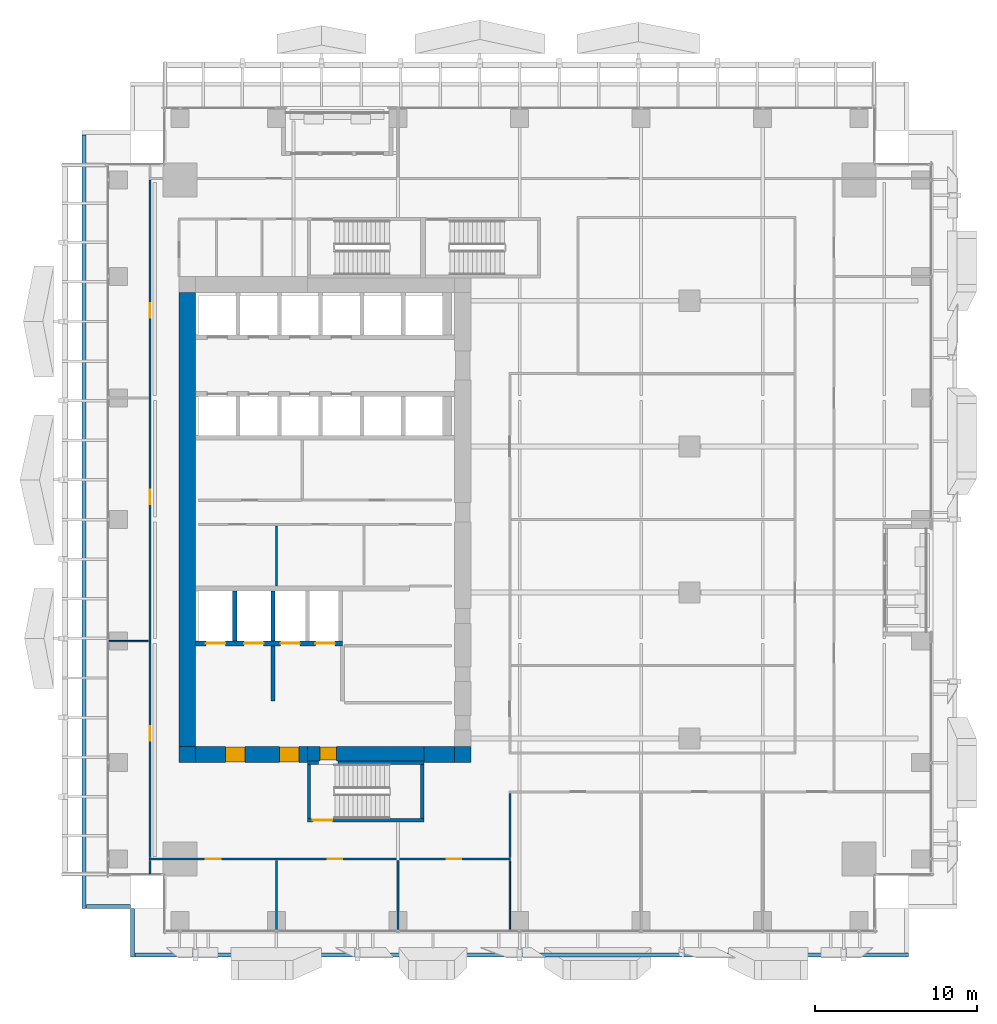
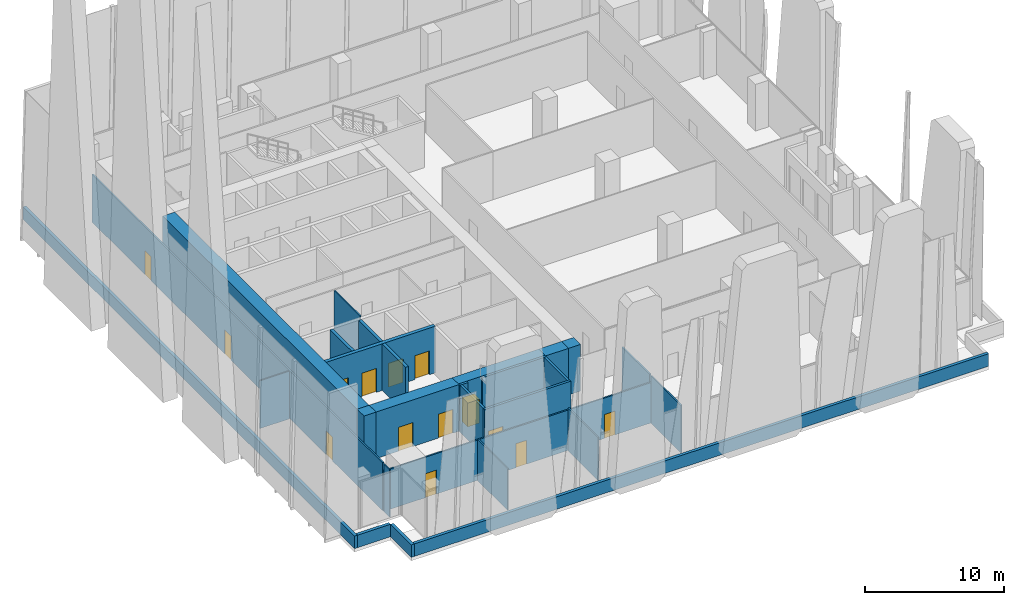
# One storey, part 28 of 37: 28 walls, 14 doors, 14 openings.
"""IFC4 building model written with IfcOpenShell, lengths in metres."""

from ifc_helpers import new_model, si_unit, direction, frame, frame_2d, origin, place, context, subcontext, project, spatial, rectangle, extrude, source, transform, mapped, material, layer, layer_set, type_object, element, fill, save


model = new_model("IFC4")

# Units and contexts
model_context = context("Model", 3, precision=1e-05, world=origin(), true_north=direction((0.0, 1.0)))
body_context = subcontext(model_context, "Body", "Model", "MODEL_VIEW")
ifc_project = project(units=[si_unit("LENGTHUNIT", "METRE"), si_unit("AREAUNIT", "SQUARE_METRE"), si_unit("VOLUMEUNIT", "CUBIC_METRE"), si_unit("PLANEANGLEUNIT", "RADIAN"), si_unit("MASSUNIT", "GRAM", prefix="KILO")], contexts=[model_context])

# Site, building, storey
site_placement = place(None, origin())
site = spatial("IfcSite", under=ifc_project, at=site_placement, CompositionType="ELEMENT")
building_placement = place(site_placement, origin())
building = spatial("IfcBuilding", under=site, at=building_placement, Name="Khomas Fold Tower", CompositionType="ELEMENT")
storey_placement = place(building_placement, frame((0.0, 0.0, 101.5)))
storey = spatial("IfcBuildingStorey", under=building, at=storey_placement, Name="L21", CompositionType="ELEMENT", Elevation=101.5)

# Wall, openings, doors
ifc_material_1 = material(Name="Concrete C70/85", Category="concrete")
ifc_layer_1 = layer(ifc_material_1, 1.0)
ifc_layer_set_1 = layer_set([ifc_layer_1], Name="Concrete C70/85")
wall_type_1 = type_object("IfcWallType", Name="Core wall 1000", PredefinedType="SHEAR", material=ifc_layer_set_1)
shared_shape_1 = source(origin(), body_context, "Body", "SweptSolid", [
    extrude(rectangle(XDim=6.89990234375, YDim=1.0, at=frame_2d((3.449951171875, 0.0))), origin(), (0.0, 0.0, 1.0), 4.10009765625),
])
wall_1_placement = place(storey_placement, frame((7.0, 12.5, 0.0), z_axis=(0.0, 0.0, 1.0), x_axis=(1.0, 0.0, 0.0)))
wall_1 = element("IfcWall", 1, at=wall_1_placement, inside=storey, type_object=wall_type_1, Name="Core wall CW-L-S-L21", PredefinedType="SHEAR", context=body_context, shape_type="MappedRepresentation", body=[
    mapped(shared_shape_1, transform((0.0, 0.0, 0.0))),
])
shared_shape_2 = source(origin(), body_context, "Body", "SweptSolid", [
    extrude(rectangle(XDim=1.199951171875, YDim=2.10009765625, at=frame_2d((0.60009765625, 1.050048828125))), frame((0.0, 0.510009765625, 0.0), z_axis=(0.0, -1.0, 0.0), x_axis=(1.0, 0.0, 0.0)), (0.0, 0.0, 1.0), 1.02001953125),
])
opening_1_placement = place(wall_1_placement, frame((5.199951171875, 0.0, 0.0)))
opening_1 = element("IfcOpeningElement", 2, at=opening_1_placement, cuts=wall_1, Name="Opening 0009", PredefinedType="OPENING", context=body_context, shape_type="MappedRepresentation", body=[
    mapped(shared_shape_2, transform((0.0, 0.0, 0.0))),
])
opening_2_placement = place(wall_1_placement, frame((1.85009765625, 0.0, 0.0)))
opening_2 = element("IfcOpeningElement", 3, at=opening_2_placement, cuts=wall_1, Name="Opening 0009", PredefinedType="OPENING", context=body_context, shape_type="MappedRepresentation", body=[
    mapped(shared_shape_2, transform((0.0, 0.0, 0.0))),
])
ifc_material_2 = material(Name="Steel door leaf", Category="steel")
door_type_1 = type_object("IfcDoorType", Name="Lobby door 1200x2100 right-hand", OperationType="SINGLE_SWING_RIGHT", PredefinedType="DOOR", material=ifc_material_2)
shared_shape_3 = source(origin(), body_context, "Body", "SweptSolid", [
    extrude(rectangle(XDim=1.199951171875, YDim=2.10009765625, at=frame_2d((0.60009765625, 1.050048828125))), frame((0.0, 0.449951171875, 0.0), z_axis=(0.0, -1.0, 0.0), x_axis=(1.0, 0.0, 0.0)), (0.0, 0.0, 1.0), 0.89990234375),
])
door_1_placement = place(opening_1_placement, origin())
door_1 = element("IfcDoor", 4, at=door_1_placement, inside=storey, type_object=door_type_1, Name="Lobby door", OperationType="SINGLE_SWING_RIGHT", OverallHeight=2.10009765625, OverallWidth=1.199951171875, PredefinedType="DOOR", context=body_context, shape_type="MappedRepresentation", body=[
    mapped(shared_shape_3, transform((0.0, 0.0, 0.0))),
])
fill(opening_1, door_1)
door_2_placement = place(opening_2_placement, origin())
door_2 = element("IfcDoor", 5, at=door_2_placement, inside=storey, type_object=door_type_1, Name="Lobby door", OperationType="SINGLE_SWING_RIGHT", OverallHeight=2.10009765625, OverallWidth=1.199951171875, PredefinedType="DOOR", context=body_context, shape_type="MappedRepresentation", body=[
    mapped(shared_shape_3, transform((0.0, 0.0, 0.0))),
])
fill(opening_2, door_2)

# Walls
ifc_material_3 = material(Name="Concrete C70/85", Category="concrete")
ifc_layer_2 = layer(ifc_material_3, 1.0)
ifc_layer_set_2 = layer_set([ifc_layer_2], Name="Concrete C70/85")
wall_type_2 = type_object("IfcWallType", Name="Core corner wall 1000", PredefinedType="SHEAR", material=ifc_layer_set_2)
shared_shape_4 = source(origin(), body_context, "Body", "SweptSolid", [
    extrude(rectangle(XDim=1.0, YDim=1.0, at=frame_2d((0.5, 0.0))), origin(), (0.0, 0.0, 1.0), 4.10009765625),
])
for number, where, z_axis, x_axis, name in (
    (6, (23.0, 12.5, 0.0), (0.0, 0.0, 1.0), (1.0, 0.0, 0.0), "Core wall CW-L-SE-L21"),
    (7, (6.0, 12.5, 0.0), (0.0, 0.0, 1.0), (1.0, 0.0, 0.0), "Core wall CW-L-SW-L21"),
):
    element("IfcWall", number, at=place(storey_placement, frame(where, z_axis=z_axis, x_axis=x_axis)), inside=storey, type_object=wall_type_2, Name=name, PredefinedType="SHEAR", context=body_context, shape_type="MappedRepresentation", body=[
        mapped(shared_shape_4, transform((0.0, 0.0, 0.0))),
    ])

# Wall, opening, door
ifc_material_4 = material(Name="Concrete C70/85", Category="concrete")
ifc_layer_3 = layer(ifc_material_4, 0.89990234375)
ifc_layer_set_3 = layer_set([ifc_layer_3], Name="Concrete C70/85")
wall_type_3 = type_object("IfcWallType", Name="Core wall 900", PredefinedType="SHEAR", material=ifc_layer_set_3)
shared_shape_5 = source(origin(), body_context, "Body", "SweptSolid", [
    extrude(rectangle(XDim=7.2001953125, YDim=0.89990234375, at=frame_2d((3.60009765625, 0.0))), origin(), (0.0, 0.0, 1.0), 4.10009765625),
])
wall_2_placement = place(storey_placement, frame((13.89990234375, 12.550048828125, 0.0), z_axis=(0.0, 0.0, 1.0), x_axis=(1.0, 0.0, 0.0)))
wall_2 = element("IfcWall", 8, at=wall_2_placement, inside=storey, type_object=wall_type_3, Name="Core wall CW-L-S-L21-1", PredefinedType="SHEAR", context=body_context, shape_type="MappedRepresentation", body=[
    mapped(shared_shape_5, transform((0.0, 0.0, 0.0))),
])
shared_shape_6 = source(origin(), body_context, "Body", "SweptSolid", [
    extrude(rectangle(XDim=1.0, YDim=2.10009765625, at=frame_2d((0.5, 1.050048828125))), frame((0.0, 0.4599609375, 0.0), z_axis=(0.0, -1.0, 0.0), x_axis=(1.0, 0.0, 0.0)), (0.0, 0.0, 1.0), 0.919921875),
])
opening_3_placement = place(wall_2_placement, frame((0.800048828125, 0.0, 0.0)))
opening_3 = element("IfcOpeningElement", 9, at=opening_3_placement, cuts=wall_2, Name="Opening 0010", PredefinedType="OPENING", context=body_context, shape_type="MappedRepresentation", body=[
    mapped(shared_shape_6, transform((0.0, 0.0, 0.0))),
])
ifc_material_5 = material(Name="Steel door leaf", Category="steel")
door_type_2 = type_object("IfcDoorType", Name="Stair door 1000x2100 right-hand", OperationType="SINGLE_SWING_RIGHT", PredefinedType="DOOR", material=ifc_material_5)
shared_shape_7 = source(origin(), body_context, "Body", "SweptSolid", [
    extrude(rectangle(XDim=1.0, YDim=2.10009765625, at=frame_2d((0.5, 1.050048828125))), frame((0.0, 0.39990234375, 0.0), z_axis=(0.0, -1.0, 0.0), x_axis=(1.0, 0.0, 0.0)), (0.0, 0.0, 1.0), 0.7998046875),
])
door_3_placement = place(opening_3_placement, origin())
door_3 = element("IfcDoor", 10, at=door_3_placement, inside=storey, type_object=door_type_2, Name="Stair door", OperationType="SINGLE_SWING_RIGHT", OverallHeight=2.10009765625, OverallWidth=1.0, PredefinedType="DOOR", context=body_context, shape_type="MappedRepresentation", body=[
    mapped(shared_shape_7, transform((0.0, 0.0, 0.0))),
])
fill(opening_3, door_3)

# Walls
shared_shape_8 = source(origin(), body_context, "Body", "SweptSolid", [
    extrude(rectangle(XDim=1.89990234375, YDim=1.0, at=frame_2d((0.949951171875, 0.0))), origin(), (0.0, 0.0, 1.0), 4.10009765625),
])
wall_3_placement = place(storey_placement, frame((21.10009765625, 12.5, 0.0), z_axis=(0.0, 0.0, 1.0), x_axis=(1.0, 0.0, 0.0)))
element("IfcWall", 11, at=wall_3_placement, inside=storey, type_object=wall_type_1, Name="Core wall CW-L-S-L21-2", PredefinedType="SHEAR", context=body_context, shape_type="MappedRepresentation", body=[
    mapped(shared_shape_8, transform((0.0, 0.0, 0.0))),
])
shared_shape_9 = source(origin(), body_context, "Body", "SweptSolid", [
    extrude(rectangle(XDim=28.0, YDim=1.0, at=frame_2d((14.0, 0.0))), origin(), (0.0, 0.0, 1.0), 4.10009765625),
])
wall_4_placement = place(storey_placement, frame((6.5, 13.0, 0.0), z_axis=(0.0, 0.0, 1.0), x_axis=(0.0, 1.0, 0.0)))
element("IfcWall", 12, at=wall_4_placement, inside=storey, type_object=wall_type_1, Name="Core wall CW-L-W-L21", PredefinedType="SHEAR", context=body_context, shape_type="MappedRepresentation", body=[
    mapped(shared_shape_9, transform((0.0, 0.0, 0.0))),
])
ifc_material_6 = material(Name="Concrete C50/60", Category="concrete")
ifc_layer_4 = layer(ifc_material_6, 0.199951171875)
ifc_layer_set_4 = layer_set([ifc_layer_4], Name="Concrete C50/60")
wall_type_4 = type_object("IfcWallType", Name="Stair wall 200", PredefinedType="SHEAR", material=ifc_layer_set_4)
shared_shape_10 = source(origin(), body_context, "Body", "SweptSolid", [
    extrude(rectangle(XDim=0.7001953125, YDim=0.199951171875, at=frame_2d((0.35009765625, 0.0))), origin(), (0.0, 0.0, 1.0), 4.10009765625),
])
wall_5_placement = place(storey_placement, frame((13.89990234375, 12.0, 0.0), z_axis=(0.0, 0.0, 1.0), x_axis=(1.0, 0.0, 0.0)))
element("IfcWall", 13, at=wall_5_placement, inside=storey, type_object=wall_type_4, Name="Stair wall SW-ST2-N", PredefinedType="SHEAR", context=body_context, shape_type="MappedRepresentation", body=[
    mapped(shared_shape_10, transform((0.0, 0.0, 0.0))),
])
shared_shape_11 = source(origin(), body_context, "Body", "SweptSolid", [
    extrude(rectangle(XDim=5.300048828125, YDim=0.199951171875, at=frame_2d((2.64990234375, 0.0))), origin(), (0.0, 0.0, 1.0), 4.10009765625),
])
wall_6_placement = place(storey_placement, frame((15.800048828125, 12.0, 0.0), z_axis=(0.0, 0.0, 1.0), x_axis=(1.0, 0.0, 0.0)))
element("IfcWall", 14, at=wall_6_placement, inside=storey, type_object=wall_type_4, Name="Stair wall SW-ST2-NB", PredefinedType="SHEAR", context=body_context, shape_type="MappedRepresentation", body=[
    mapped(shared_shape_11, transform((0.0, 0.0, 0.0))),
])

# Wall, opening, door
shared_shape_12 = source(origin(), body_context, "Body", "SweptSolid", [
    extrude(rectangle(XDim=7.2001953125, YDim=0.199951171875, at=frame_2d((3.60009765625, 0.0))), origin(), (0.0, 0.0, 1.0), 4.10009765625),
])
wall_7_placement = place(storey_placement, frame((13.89990234375, 8.449951171875, 0.0), z_axis=(0.0, 0.0, 1.0), x_axis=(1.0, 0.0, 0.0)))
wall_7 = element("IfcWall", 15, at=wall_7_placement, inside=storey, type_object=wall_type_4, Name="Stair wall SW-ST2-S", PredefinedType="SHEAR", context=body_context, shape_type="MappedRepresentation", body=[
    mapped(shared_shape_12, transform((0.0, 0.0, 0.0))),
])
shared_shape_13 = source(origin(), body_context, "Body", "SweptSolid", [
    extrude(rectangle(XDim=1.199951171875, YDim=2.10009765625, at=frame_2d((0.60009765625, 1.050048828125))), frame((0.0, 0.10986328125, 0.0), z_axis=(0.0, -1.0, 0.0), x_axis=(1.0, 0.0, 0.0)), (0.0, 0.0, 1.0), 0.219970703125),
])
opening_4_placement = place(wall_7_placement, frame((0.35009765625, 0.0, 0.0)))
opening_4 = element("IfcOpeningElement", 16, at=opening_4_placement, cuts=wall_7, Name="Opening SD-ST2", PredefinedType="OPENING", context=body_context, shape_type="MappedRepresentation", body=[
    mapped(shared_shape_13, transform((0.0, 0.0, 0.0))),
])
ifc_material_7 = material(Name="Steel door leaf", Category="steel")
door_type_3 = type_object("IfcDoorType", Name="Stair door 1200x2100 right-hand", OperationType="SINGLE_SWING_RIGHT", PredefinedType="DOOR", material=ifc_material_7)
shared_shape_14 = source(origin(), body_context, "Body", "SweptSolid", [
    extrude(rectangle(XDim=1.199951171875, YDim=2.10009765625, at=frame_2d((0.60009765625, 1.050048828125))), frame((0.0, 0.02490234375, 0.0), z_axis=(0.0, -1.0, 0.0), x_axis=(1.0, 0.0, 0.0)), (0.0, 0.0, 1.0), 0.050048828125),
])
door_4_placement = place(opening_4_placement, origin())
door_4 = element("IfcDoor", 17, at=door_4_placement, inside=storey, type_object=door_type_3, Name="Stair door", OperationType="SINGLE_SWING_RIGHT", OverallHeight=2.10009765625, OverallWidth=1.199951171875, PredefinedType="DOOR", context=body_context, shape_type="MappedRepresentation", body=[
    mapped(shared_shape_14, transform((0.0, 0.0, 0.0))),
])
fill(opening_4, door_4)

# Walls
shared_shape_15 = source(origin(), body_context, "Body", "SweptSolid", [
    extrude(rectangle(XDim=3.349853515625, YDim=0.199951171875, at=frame_2d((1.6748046875, 0.0))), origin(), (0.0, 0.0, 1.0), 4.10009765625),
])
for number, where, z_axis, x_axis, name in (
    (18, (21.0, 8.550048828125, 0.0), (0.0, 0.0, 1.0), (0.0, 1.0, 0.0), "Stair wall SW-ST2-E"),
    (19, (14.0, 8.550048828125, 0.0), (0.0, 0.0, 1.0), (0.0, 1.0, 0.0), "Stair wall SW-ST2-W"),
):
    element("IfcWall", number, at=place(storey_placement, frame(where, z_axis=z_axis, x_axis=x_axis)), inside=storey, type_object=wall_type_4, Name=name, PredefinedType="SHEAR", context=body_context, shape_type="MappedRepresentation", body=[
        mapped(shared_shape_15, transform((0.0, 0.0, 0.0))),
    ])

# Wall, openings, doors
ifc_material_8 = material(Name="Concrete C50/60", Category="concrete")
ifc_layer_5 = layer(ifc_material_8, 0.300048828125)
ifc_layer_set_5 = layer_set([ifc_layer_5], Name="Concrete C50/60")
wall_type_5 = type_object("IfcWallType", Name="Shaft wall 300", PredefinedType="STANDARD", material=ifc_layer_set_5)
shared_shape_16 = source(origin(), body_context, "Body", "SweptSolid", [
    extrude(rectangle(XDim=9.074951171875, YDim=0.300048828125, at=frame_2d((4.53759765625, 0.0))), origin(), (0.0, 0.0, 1.0), 4.10009765625),
])
wall_8_placement = place(storey_placement, frame((7.0, 19.35009765625, 0.0), z_axis=(0.0, 0.0, 1.0), x_axis=(1.0, 0.0, 0.0)))
wall_8 = element("IfcWall", 20, at=wall_8_placement, inside=storey, type_object=wall_type_5, Name="Core wall SW-FS-F", PredefinedType="STANDARD", context=body_context, shape_type="MappedRepresentation", body=[
    mapped(shared_shape_16, transform((0.0, 0.0, 0.0))),
])
shared_shape_17 = source(origin(), body_context, "Body", "SweptSolid", [
    extrude(rectangle(XDim=1.199951171875, YDim=2.10009765625, at=frame_2d((0.60009765625, 1.050048828125))), frame((0.0, 0.159912109375, 0.0), z_axis=(0.0, -1.0, 0.0), x_axis=(1.0, 0.0, 0.0)), (0.0, 0.0, 1.0), 0.320068359375),
])
opening_5_placement = place(wall_8_placement, frame((0.64990234375, 0.0, 0.0)))
opening_5 = element("IfcOpeningElement", 21, at=opening_5_placement, cuts=wall_8, Name="Opening LD-SV1", PredefinedType="OPENING", context=body_context, shape_type="MappedRepresentation", body=[
    mapped(shared_shape_17, transform((0.0, 0.0, 0.0))),
])
opening_6_placement = place(wall_8_placement, frame((3.0, 0.0, 0.0)))
opening_6 = element("IfcOpeningElement", 22, at=opening_6_placement, cuts=wall_8, Name="Opening LD-SV2", PredefinedType="OPENING", context=body_context, shape_type="MappedRepresentation", body=[
    mapped(shared_shape_17, transform((0.0, 0.0, 0.0))),
])
opening_7_placement = place(wall_8_placement, frame((5.25, 0.0, 0.0)))
opening_7 = element("IfcOpeningElement", 23, at=opening_7_placement, cuts=wall_8, Name="Opening LD-FF1", PredefinedType="OPENING", context=body_context, shape_type="MappedRepresentation", body=[
    mapped(shared_shape_17, transform((0.0, 0.0, 0.0))),
])
opening_8_placement = place(wall_8_placement, frame((7.39990234375, 0.0, 0.0)))
opening_8 = element("IfcOpeningElement", 24, at=opening_8_placement, cuts=wall_8, Name="Opening LD-FF2", PredefinedType="OPENING", context=body_context, shape_type="MappedRepresentation", body=[
    mapped(shared_shape_17, transform((0.0, 0.0, 0.0))),
])
ifc_material_9 = material(Name="Steel door leaf", Category="steel")
door_type_4 = type_object("IfcDoorType", Name="Landing door 1200x2100", OperationType="DOUBLE_DOOR_SLIDING", PredefinedType="DOOR", material=ifc_material_9)
door_5_placement = place(opening_5_placement, origin())
door_5 = element("IfcDoor", 25, at=door_5_placement, inside=storey, type_object=door_type_4, Name="Lift landing door", OperationType="DOUBLE_DOOR_SLIDING", OverallHeight=2.10009765625, OverallWidth=1.199951171875, PredefinedType="DOOR", context=body_context, shape_type="MappedRepresentation", body=[
    mapped(shared_shape_14, transform((0.0, 0.0, 0.0))),
])
fill(opening_5, door_5)
door_6_placement = place(opening_6_placement, origin())
door_6 = element("IfcDoor", 26, at=door_6_placement, inside=storey, type_object=door_type_4, Name="Lift landing door", OperationType="DOUBLE_DOOR_SLIDING", OverallHeight=2.10009765625, OverallWidth=1.199951171875, PredefinedType="DOOR", context=body_context, shape_type="MappedRepresentation", body=[
    mapped(shared_shape_14, transform((0.0, 0.0, 0.0))),
])
fill(opening_6, door_6)
door_7_placement = place(opening_7_placement, origin())
door_7 = element("IfcDoor", 27, at=door_7_placement, inside=storey, type_object=door_type_4, Name="Lift landing door", OperationType="DOUBLE_DOOR_SLIDING", OverallHeight=2.10009765625, OverallWidth=1.199951171875, PredefinedType="DOOR", context=body_context, shape_type="MappedRepresentation", body=[
    mapped(shared_shape_14, transform((0.0, 0.0, 0.0))),
])
fill(opening_7, door_7)
door_8_placement = place(opening_8_placement, origin())
door_8 = element("IfcDoor", 28, at=door_8_placement, inside=storey, type_object=door_type_4, Name="Lift landing door", OperationType="DOUBLE_DOOR_SLIDING", OverallHeight=2.10009765625, OverallWidth=1.199951171875, PredefinedType="DOOR", context=body_context, shape_type="MappedRepresentation", body=[
    mapped(shared_shape_14, transform((0.0, 0.0, 0.0))),
])
fill(opening_8, door_8)

# Walls
ifc_material_10 = material(Name="Concrete C50/60", Category="concrete")
ifc_layer_6 = layer(ifc_material_10, 0.25)
ifc_layer_set_6 = layer_set([ifc_layer_6], Name="Concrete C50/60")
wall_type_6 = type_object("IfcWallType", Name="Shaft wall 250", PredefinedType="STANDARD", material=ifc_layer_set_6)
shared_shape_18 = source(origin(), body_context, "Body", "SweptSolid", [
    extrude(rectangle(XDim=3.10009765625, YDim=0.25, at=frame_2d((1.550048828125, 0.0))), origin(), (0.0, 0.0, 1.0), 4.10009765625),
])
for number, where, z_axis, x_axis, name in (
    (29, (9.425048828125, 19.5, 0.0), (0.0, 0.0, 1.0), (0.0, 1.0, 0.0), "Core wall SW-FS-P1"),
    (30, (11.77490234375, 19.5, 0.0), (0.0, 0.0, 1.0), (0.0, 1.0, 0.0), "Core wall SW-FS-P2"),
):
    element("IfcWall", number, at=place(storey_placement, frame(where, z_axis=z_axis, x_axis=x_axis)), inside=storey, type_object=wall_type_6, Name=name, PredefinedType="STANDARD", context=body_context, shape_type="MappedRepresentation", body=[
        mapped(shared_shape_18, transform((0.0, 0.0, 0.0))),
    ])
ifc_material_11 = material(Name="Concrete C50/60", Category="concrete")
ifc_layer_7 = layer(ifc_material_11, 0.25)
ifc_layer_set_7 = layer_set([ifc_layer_7], Name="Concrete C50/60")
wall_type_7 = type_object("IfcWallType", Name="Lobby wall 250", PredefinedType="STANDARD", material=ifc_layer_set_7)
shared_shape_19 = source(origin(), body_context, "Body", "SweptSolid", [
    extrude(rectangle(XDim=3.39990234375, YDim=0.25, at=frame_2d((1.699951171875, 0.0))), origin(), (0.0, 0.0, 1.0), 4.10009765625),
])
wall_9_placement = place(storey_placement, frame((11.77490234375, 15.800048828125, 0.0), z_axis=(0.0, 0.0, 1.0), x_axis=(0.0, 1.0, 0.0)))
element("IfcWall", 31, at=wall_9_placement, inside=storey, type_object=wall_type_7, Name="Core wall SW-FS-SEP", PredefinedType="STANDARD", context=body_context, shape_type="MappedRepresentation", body=[
    mapped(shared_shape_19, transform((0.0, 0.0, 0.0))),
])
ifc_material_12 = material(Name="Concrete C40/50", Category="concrete")
ifc_layer_8 = layer(ifc_material_12, 0.25)
ifc_layer_set_8 = layer_set([ifc_layer_8], Name="Concrete C40/50")
wall_type_8 = type_object("IfcWallType", Name="Setback roof parapet 250", PredefinedType="PARAPET", material=ifc_layer_set_8)
shared_shape_20 = source(origin(), body_context, "Body", "SweptSolid", [
    extrude(rectangle(XDim=3.0, YDim=0.25, at=frame_2d((1.5, 0.0))), origin(), (0.0, 0.0, 1.0), 1.10009765625),
])
wall_10_placement = place(storey_placement, frame((3.125, 3.0, 0.0), z_axis=(0.0, 0.0, 1.0), x_axis=(0.0, -1.0, 0.0)))
element("IfcWall", 32, at=wall_10_placement, inside=storey, type_object=wall_type_8, Name="Setback roof parapet", PredefinedType="SOLIDWALL", context=body_context, shape_type="MappedRepresentation", body=[
    mapped(shared_shape_20, transform((0.0, 0.0, 0.0))),
])
shared_shape_21 = source(origin(), body_context, "Body", "SweptSolid", [
    extrude(rectangle(XDim=47.72998046875, YDim=0.25, at=frame_2d((23.864990234375, 0.0))), origin(), (0.0, 0.0, 1.0), 1.10009765625),
])
for number, where, z_axis, x_axis, name in (
    (33, (3.27001953125, 0.125, 0.0), (0.0, 0.0, 1.0), (1.0, 0.0, 0.0), "Setback roof parapet"),
    (34, (0.125, 50.72998046875, 0.0), (0.0, 0.0, 1.0), (0.0, -1.0, 0.0), "Setback roof parapet"),
):
    element("IfcWall", number, at=place(storey_placement, frame(where, z_axis=z_axis, x_axis=x_axis)), inside=storey, type_object=wall_type_8, Name=name, PredefinedType="SOLIDWALL", context=body_context, shape_type="MappedRepresentation", body=[
        mapped(shared_shape_21, transform((0.0, 0.0, 0.0))),
    ])
shared_shape_22 = source(origin(), body_context, "Body", "SweptSolid", [
    extrude(rectangle(XDim=2.72998046875, YDim=0.25, at=frame_2d((1.364990234375, 0.0))), origin(), (0.0, 0.0, 1.0), 1.10009765625),
])
wall_11_placement = place(storey_placement, frame((0.27001953125, 3.125, 0.0), z_axis=(0.0, 0.0, 1.0), x_axis=(1.0, 0.0, 0.0)))
element("IfcWall", 35, at=wall_11_placement, inside=storey, type_object=wall_type_8, Name="Setback roof parapet", PredefinedType="SOLIDWALL", context=body_context, shape_type="MappedRepresentation", body=[
    mapped(shared_shape_22, transform((0.0, 0.0, 0.0))),
])
ifc_material_13 = material(Name="Plasterboard partition")
ifc_layer_9 = layer(ifc_material_13, 0.10009765625)
ifc_layer_set_9 = layer_set([ifc_layer_9], Name="Plasterboard partition")
wall_type_9 = type_object("IfcWallType", Name="Partition PW1 100", PredefinedType="PARTITIONING", material=ifc_layer_set_9)
shared_shape_23 = source(origin(), body_context, "Body", "SweptSolid", [
    extrude(rectangle(XDim=4.300048828125, YDim=0.10009765625, at=frame_2d((2.14990234375, 0.0))), origin(), (0.0, 0.0, 1.0), 3.64990234375),
])
wall_12_placement = place(storey_placement, frame((12.0, 1.64990234375, 0.0), z_axis=(0.0, 0.0, 1.0), x_axis=(0.0, 1.0, 0.0)))
element("IfcWall", 36, at=wall_12_placement, inside=storey, type_object=wall_type_9, Name="Partition", PredefinedType="PARTITIONING", context=body_context, shape_type="MappedRepresentation", body=[
    mapped(shared_shape_23, transform((0.0, 0.0, 0.0))),
])
shared_shape_24 = source(origin(), body_context, "Body", "SweptSolid", [
    extrude(rectangle(XDim=4.300048828125, YDim=0.10009765625, at=frame_2d((2.14990234375, 0.0))), origin(), (0.0, 0.0, 1.0), 3.77001953125),
])
wall_13_placement = place(storey_placement, frame((19.5, 1.64990234375, 0.0), z_axis=(0.0, 0.0, 1.0), x_axis=(0.0, 1.0, 0.0)))
element("IfcWall", 37, at=wall_13_placement, inside=storey, type_object=wall_type_9, Name="Partition", PredefinedType="PARTITIONING", context=body_context, shape_type="MappedRepresentation", body=[
    mapped(shared_shape_24, transform((0.0, 0.0, 0.0))),
])
shared_shape_25 = source(origin(), body_context, "Body", "SweptSolid", [
    extrude(rectangle(XDim=4.300048828125, YDim=0.10009765625, at=frame_2d((2.14990234375, 0.0))), origin(), (0.0, 0.0, 1.0), 4.199951171875),
])
wall_14_placement = place(storey_placement, frame((26.39990234375, 1.64990234375, 0.0), z_axis=(0.0, 0.0, 1.0), x_axis=(0.0, 1.0, 0.0)))
element("IfcWall", 38, at=wall_14_placement, inside=storey, type_object=wall_type_9, Name="Partition", PredefinedType="PARTITIONING", context=body_context, shape_type="MappedRepresentation", body=[
    mapped(shared_shape_25, transform((0.0, 0.0, 0.0))),
])
shared_shape_26 = source(origin(), body_context, "Body", "SweptSolid", [
    extrude(rectangle(XDim=0.800048828125, YDim=0.10009765625, at=frame_2d((0.39990234375, 0.0))), origin(), (0.0, 0.0, 1.0), 4.199951171875),
])
wall_15_placement = place(storey_placement, frame((4.199951171875, 5.14990234375, 0.0), z_axis=(0.0, 0.0, 1.0), x_axis=(0.0, 1.0, 0.0)))
element("IfcWall", 39, at=wall_15_placement, inside=storey, type_object=wall_type_9, Name="Partition", PredefinedType="PARTITIONING", context=body_context, shape_type="MappedRepresentation", body=[
    mapped(shared_shape_26, transform((0.0, 0.0, 0.0))),
])

# Wall, openings, doors
ifc_material_14 = material(Name="Plasterboard partition")
ifc_layer_10 = layer(ifc_material_14, 0.125)
ifc_layer_set_10 = layer_set([ifc_layer_10], Name="Plasterboard partition")
wall_type_10 = type_object("IfcWallType", Name="Partition PW2 125", PredefinedType="PARTITIONING", material=ifc_layer_set_10)
shared_shape_27 = source(origin(), body_context, "Body", "SweptSolid", [
    extrude(rectangle(XDim=22.300048828125, YDim=0.125, at=frame_2d((11.14990234375, 0.0))), origin(), (0.0, 0.0, 1.0), 3.550048828125),
])
wall_16_placement = place(storey_placement, frame((4.14990234375, 6.050048828125, 0.0), z_axis=(0.0, 0.0, 1.0), x_axis=(1.0, 0.0, 0.0)))
wall_16 = element("IfcWall", 40, at=wall_16_placement, inside=storey, type_object=wall_type_10, Name="Partition", PredefinedType="PARTITIONING", context=body_context, shape_type="MappedRepresentation", body=[
    mapped(shared_shape_27, transform((0.0, 0.0, 0.0))),
])
shared_shape_28 = source(origin(), body_context, "Body", "SweptSolid", [
    extrude(rectangle(XDim=0.89990234375, YDim=2.10009765625, at=frame_2d((0.449951171875, 1.050048828125))), frame((0.0, 0.072509765625, 0.0), z_axis=(0.0, -1.0, 0.0), x_axis=(1.0, 0.0, 0.0)), (0.0, 0.0, 1.0), 0.14501953125),
])
opening_9_placement = place(wall_16_placement, frame((3.5, 0.0, 0.0)))
opening_9 = element("IfcOpeningElement", 41, at=opening_9_placement, cuts=wall_16, Name="Opening 0007", PredefinedType="OPENING", context=body_context, shape_type="MappedRepresentation", body=[
    mapped(shared_shape_28, transform((0.0, 0.0, 0.0))),
])
opening_10_placement = place(wall_16_placement, frame((11.0, 0.0, 0.0)))
opening_10 = element("IfcOpeningElement", 42, at=opening_10_placement, cuts=wall_16, Name="Opening 0007", PredefinedType="OPENING", context=body_context, shape_type="MappedRepresentation", body=[
    mapped(shared_shape_28, transform((0.0, 0.0, 0.0))),
])
opening_11_placement = place(wall_16_placement, frame((18.35009765625, 0.0, 0.0)))
opening_11 = element("IfcOpeningElement", 43, at=opening_11_placement, cuts=wall_16, Name="Opening 0007", PredefinedType="OPENING", context=body_context, shape_type="MappedRepresentation", body=[
    mapped(shared_shape_28, transform((0.0, 0.0, 0.0))),
])
ifc_material_15 = material(Name="Timber door leaf", Category="wood")
door_type_5 = type_object("IfcDoorType", Name="Door 900x2100 left-hand", OperationType="SINGLE_SWING_LEFT", PredefinedType="DOOR", material=ifc_material_15)
shared_shape_29 = source(origin(), body_context, "Body", "SweptSolid", [
    extrude(rectangle(XDim=0.89990234375, YDim=2.10009765625, at=frame_2d((0.449951171875, 1.050048828125))), frame((0.0, 0.02490234375, 0.0), z_axis=(0.0, -1.0, 0.0), x_axis=(1.0, 0.0, 0.0)), (0.0, 0.0, 1.0), 0.050048828125),
])
door_9_placement = place(opening_9_placement, origin())
door_9 = element("IfcDoor", 44, at=door_9_placement, inside=storey, type_object=door_type_5, Name="Door", OperationType="SINGLE_SWING_LEFT", OverallHeight=2.10009765625, OverallWidth=0.89990234375, PredefinedType="DOOR", context=body_context, shape_type="MappedRepresentation", body=[
    mapped(shared_shape_29, transform((0.0, 0.0, 0.0))),
])
fill(opening_9, door_9)
door_10_placement = place(opening_10_placement, origin())
door_10 = element("IfcDoor", 45, at=door_10_placement, inside=storey, type_object=door_type_5, Name="Door", OperationType="SINGLE_SWING_LEFT", OverallHeight=2.10009765625, OverallWidth=0.89990234375, PredefinedType="DOOR", context=body_context, shape_type="MappedRepresentation", body=[
    mapped(shared_shape_29, transform((0.0, 0.0, 0.0))),
])
fill(opening_10, door_10)
door_11_placement = place(opening_11_placement, origin())
door_11 = element("IfcDoor", 46, at=door_11_placement, inside=storey, type_object=door_type_5, Name="Door", OperationType="SINGLE_SWING_LEFT", OverallHeight=2.10009765625, OverallWidth=0.89990234375, PredefinedType="DOOR", context=body_context, shape_type="MappedRepresentation", body=[
    mapped(shared_shape_29, transform((0.0, 0.0, 0.0))),
])
fill(opening_11, door_11)

shared_shape_30 = source(origin(), body_context, "Body", "SweptSolid", [
    extrude(rectangle(XDim=41.800048828125, YDim=0.125, at=frame_2d((20.89990234375, 0.0))), origin(), (0.0, 0.0, 1.0), 4.199951171875),
])
wall_17_placement = place(storey_placement, frame((4.199951171875, 6.14990234375, 0.0), z_axis=(0.0, 0.0, 1.0), x_axis=(0.0, 1.0, 0.0)))
wall_17 = element("IfcWall", 47, at=wall_17_placement, inside=storey, type_object=wall_type_10, Name="Partition", PredefinedType="PARTITIONING", context=body_context, shape_type="MappedRepresentation", body=[
    mapped(shared_shape_30, transform((0.0, 0.0, 0.0))),
])
opening_12_placement = place(wall_17_placement, frame((7.199951171875, 0.0, 0.0)))
opening_12 = element("IfcOpeningElement", 48, at=opening_12_placement, cuts=wall_17, Name="Opening 0008", PredefinedType="OPENING", context=body_context, shape_type="MappedRepresentation", body=[
    mapped(shared_shape_28, transform((0.0, 0.0, 0.0))),
])
opening_13_placement = place(wall_17_placement, frame((21.800048828125, 0.0, 0.0)))
opening_13 = element("IfcOpeningElement", 49, at=opening_13_placement, cuts=wall_17, Name="Opening 0007", PredefinedType="OPENING", context=body_context, shape_type="MappedRepresentation", body=[
    mapped(shared_shape_28, transform((0.0, 0.0, 0.0))),
])
opening_14_placement = place(wall_17_placement, frame((33.300048828125, 0.0, 0.0)))
opening_14 = element("IfcOpeningElement", 50, at=opening_14_placement, cuts=wall_17, Name="Opening 0008", PredefinedType="OPENING", context=body_context, shape_type="MappedRepresentation", body=[
    mapped(shared_shape_28, transform((0.0, 0.0, 0.0))),
])
ifc_material_16 = material(Name="Timber door leaf", Category="wood")
door_type_6 = type_object("IfcDoorType", Name="Door 900x2100 right-hand", OperationType="SINGLE_SWING_RIGHT", PredefinedType="DOOR", material=ifc_material_16)
door_12_placement = place(opening_12_placement, origin())
door_12 = element("IfcDoor", 51, at=door_12_placement, inside=storey, type_object=door_type_6, Name="Door", OperationType="SINGLE_SWING_RIGHT", OverallHeight=2.10009765625, OverallWidth=0.89990234375, PredefinedType="DOOR", context=body_context, shape_type="MappedRepresentation", body=[
    mapped(shared_shape_29, transform((0.0, 0.0, 0.0))),
])
fill(opening_12, door_12)
door_13_placement = place(opening_13_placement, origin())
door_13 = element("IfcDoor", 52, at=door_13_placement, inside=storey, type_object=door_type_5, Name="Door", OperationType="SINGLE_SWING_LEFT", OverallHeight=2.10009765625, OverallWidth=0.89990234375, PredefinedType="DOOR", context=body_context, shape_type="MappedRepresentation", body=[
    mapped(shared_shape_29, transform((0.0, 0.0, 0.0))),
])
fill(opening_13, door_13)
door_14_placement = place(opening_14_placement, origin())
door_14 = element("IfcDoor", 53, at=door_14_placement, inside=storey, type_object=door_type_6, Name="Door", OperationType="SINGLE_SWING_RIGHT", OverallHeight=2.10009765625, OverallWidth=0.89990234375, PredefinedType="DOOR", context=body_context, shape_type="MappedRepresentation", body=[
    mapped(shared_shape_29, transform((0.0, 0.0, 0.0))),
])
fill(opening_14, door_14)

# Walls
shared_shape_31 = source(origin(), body_context, "Body", "SweptSolid", [
    extrude(rectangle(XDim=3.9501953125, YDim=0.125, at=frame_2d((1.97509765625, 0.0))), origin(), (0.0, 0.0, 1.0), 4.199951171875),
])
wall_18_placement = place(storey_placement, frame((26.39990234375, 6.14990234375, 0.0), z_axis=(0.0, 0.0, 1.0), x_axis=(0.0, 1.0, 0.0)))
element("IfcWall", 54, at=wall_18_placement, inside=storey, type_object=wall_type_10, Name="Partition", PredefinedType="PARTITIONING", context=body_context, shape_type="MappedRepresentation", body=[
    mapped(shared_shape_31, transform((0.0, 0.0, 0.0))),
])
shared_shape_32 = source(origin(), body_context, "Body", "SweptSolid", [
    extrude(rectangle(XDim=2.4501953125, YDim=0.10009765625, at=frame_2d((1.22509765625, 0.0))), origin(), (0.0, 0.0, 1.0), 4.199951171875),
])
wall_19_placement = place(storey_placement, frame((1.64990234375, 19.5, 0.0), z_axis=(0.0, 0.0, 1.0), x_axis=(1.0, 0.0, 0.0)))
element("IfcWall", 55, at=wall_19_placement, inside=storey, type_object=wall_type_9, Name="Partition", PredefinedType="PARTITIONING", context=body_context, shape_type="MappedRepresentation", body=[
    mapped(shared_shape_32, transform((0.0, 0.0, 0.0))),
])
shared_shape_33 = source(origin(), body_context, "Body", "SweptSolid", [
    extrude(rectangle(XDim=3.7001953125, YDim=0.10009765625, at=frame_2d((1.85009765625, 0.0))), origin(), (0.0, 0.0, 1.0), 4.199951171875),
])
wall_20_placement = place(storey_placement, frame((12.0, 22.89990234375, 0.0), z_axis=(0.0, 0.0, 1.0), x_axis=(0.0, 1.0, 0.0)))
element("IfcWall", 56, at=wall_20_placement, inside=storey, type_object=wall_type_9, Name="Partition", PredefinedType="PARTITIONING", context=body_context, shape_type="MappedRepresentation", body=[
    mapped(shared_shape_33, transform((0.0, 0.0, 0.0))),
])

save(model, "model.ifc")
